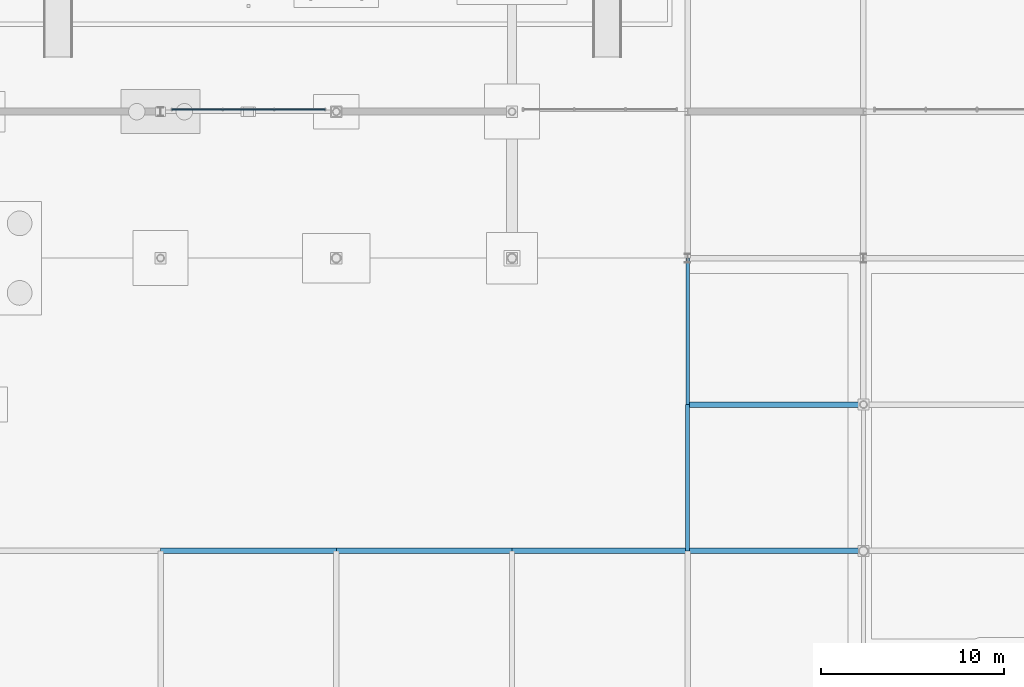
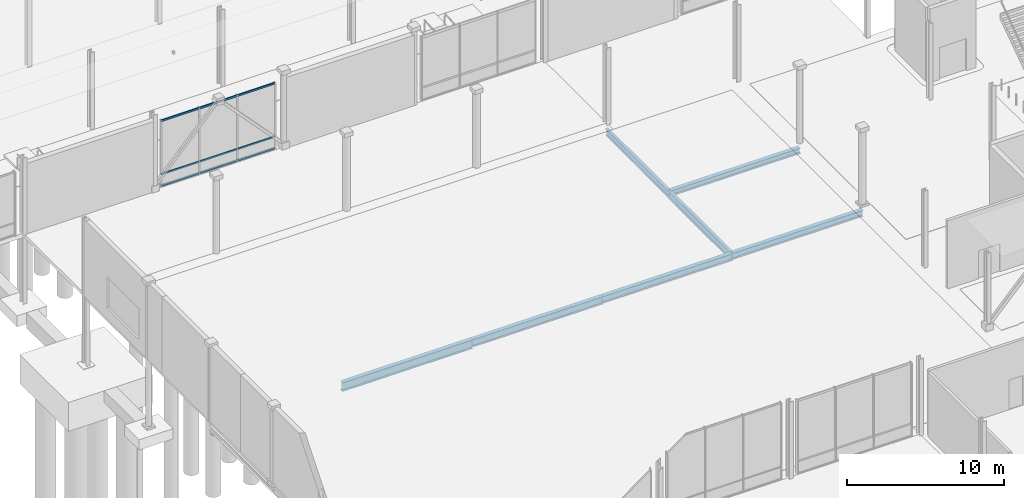
# One storey, part 60 of 124: 7 beams, 3 members, 1 element without a shape of its own.
"""IFC4 building model written with IfcOpenShell, lengths in metres."""

import ifcopenshell
import ifcopenshell.guid

model = None  # the IFC model being written
_history = None  # IfcOwnerHistory: only IFC2X3 demands one
_inside = {}  # id of a spatial element -> (the spatial element, [elements in it])
_under = {}  # id of a project, library or spatial element -> (it, [spatial elements below it])
_declared = {}  # id of a project -> (the project, [libraries it declares])
_typed = {}  # id of a type object -> (the type object, [elements of that type])
_made_of = {}  # id of a material, layer set ... -> (it, [elements and type objects made of it])


def new_model(schema):
    """Start an empty IFC model of exactly this schema.

    Asked for "IFC4X3", IfcOpenShell would pick the latest addendum, in which some entities
    have other attributes; the version numbers below select the first issue.
    IFC2X3 requires an IfcOwnerHistory on every rooted entity: one is made here for all.
    """
    global model, _history
    if schema == "IFC4X3":
        model = ifcopenshell.file(schema_version=(4, 3, 0, 0))
    else:
        model = ifcopenshell.file(schema=schema)
    _inside.clear()
    _under.clear()
    _declared.clear()
    _typed.clear()
    _made_of.clear()
    _history = None
    if model.schema == "IFC2X3":
        org = make("IfcOrganization", Name="unknown")
        user = make(
            "IfcPersonAndOrganization",
            ThePerson=make("IfcPerson", FamilyName="unknown"),
            TheOrganization=org,
        )
        app = make(
            "IfcApplication",
            ApplicationDeveloper=org,
            Version="unknown",
            ApplicationFullName="unknown",
            ApplicationIdentifier="unknown",
        )
        _history = make(
            "IfcOwnerHistory",
            OwningUser=user,
            OwningApplication=app,
            ChangeAction="ADDED",
            CreationDate=0,
        )
    return model


def make(cls, **values):
    """One entity of the class cls with the attributes given. An attribute that is None is left unset."""
    return model.create_entity(
        cls, **{name: value for name, value in values.items() if value is not None}
    )


def rooted(cls, **values):
    """An entity with a GlobalId (a new one), such as an element, a storey or a relation."""
    return make(cls, GlobalId=ifcopenshell.guid.new(), OwnerHistory=_history, **values)


def si_unit(unit_type, name, prefix=None):
    """IfcSIUnit, for example si_unit("LENGTHUNIT", "METRE", prefix="MILLI")."""
    return make("IfcSIUnit", UnitType=unit_type, Prefix=prefix, Name=name)


def assignment(units):
    """IfcUnitAssignment: the units of a project."""
    return None if units is None else make("IfcUnitAssignment", Units=units)


def point(xyz):
    """IfcCartesianPoint."""
    return None if xyz is None else make("IfcCartesianPoint", Coordinates=xyz)


def direction(xyz):
    """IfcDirection."""
    return None if xyz is None else make("IfcDirection", DirectionRatios=xyz)


def frame(location, z_axis=None, x_axis=None):
    """IfcAxis2Placement3D, a coordinate frame: its origin and axes. An axis left out is left unset."""
    return make(
        "IfcAxis2Placement3D",
        Location=point(location),
        Axis=direction(z_axis),
        RefDirection=direction(x_axis),
    )


def frame_2d(location, x_axis=None):
    """IfcAxis2Placement2D, a coordinate frame in the plane: its origin and x axis."""
    return make(
        "IfcAxis2Placement2D", Location=point(location), RefDirection=direction(x_axis)
    )


def origin():
    """The frame at (0, 0, 0) with its axes left unset."""
    return frame((0.0, 0.0, 0.0))


def origin_2d():
    """The frame at (0, 0) in the plane with its x axis left unset."""
    return frame_2d((0.0, 0.0))


def place(relative_to, where):
    """IfcLocalPlacement: puts the frame where relative to a parent placement (None: the world)."""
    return make(
        "IfcLocalPlacement", PlacementRelTo=relative_to, RelativePlacement=where
    )


def context(
    kind, dimensions, precision=None, world=None, true_north=None, identifier=None
):
    """IfcGeometricRepresentationContext, for example the 3D "Model" context."""
    return make(
        "IfcGeometricRepresentationContext",
        ContextIdentifier=identifier,
        ContextType=kind,
        CoordinateSpaceDimension=dimensions,
        Precision=precision,
        WorldCoordinateSystem=world,
        TrueNorth=true_north,
    )


def subcontext(parent, identifier, kind, view, scale=None):
    """IfcGeometricRepresentationSubContext, for example "Body" below "Model"."""
    return make(
        "IfcGeometricRepresentationSubContext",
        ContextIdentifier=identifier,
        ContextType=kind,
        ParentContext=parent,
        TargetScale=scale,
        TargetView=view,
    )


def project(units=None, contexts=None):
    """IfcProject with its units and contexts."""
    return rooted(
        "IfcProject",
        Name="project",
        RepresentationContexts=contexts,
        UnitsInContext=assignment(units),
    )


def spatial(cls, under=None, at=None, **own):
    """A site, building, storey or space (cls), placed at a placement, below another one or the project."""
    s = rooted(cls, ObjectPlacement=at, **own)
    if under is not None:
        _under.setdefault(under.id(), (under, []))[1].append(s)
    return s


def profile(cls, at=None, kind="AREA", **sizes):
    """A parametric profile (cls). Its sizes go by their IFC names, for example OverallWidth=200.0."""
    return make(cls, ProfileType=kind, Position=at, **sizes)


def rectangle(**sizes):
    """IfcRectangleProfileDef."""
    return profile("IfcRectangleProfileDef", **sizes)


def i_section(**sizes):
    """IfcIShapeProfileDef."""
    return profile("IfcIShapeProfileDef", **sizes)


def extrude(swept, where, along, depth):
    """IfcExtrudedAreaSolid: the profile swept, set in the frame where, extruded along a direction by depth."""
    return make(
        "IfcExtrudedAreaSolid",
        SweptArea=swept,
        Position=where,
        ExtrudedDirection=direction(along),
        Depth=depth,
    )


def shape(context_of_items, identifier, shape_type, items):
    """IfcShapeRepresentation: the items that make up one representation, for example the "Body"."""
    return make(
        "IfcShapeRepresentation",
        ContextOfItems=context_of_items,
        RepresentationIdentifier=identifier,
        RepresentationType=shape_type,
        Items=items,
    )


def material(Name=None, Category=None):
    """IfcMaterial."""
    return make("IfcMaterial", Name=Name, Category=Category)


def material_profile(
    of_material, cross_section, Name=None, Category=None, Priority=None
):
    """IfcMaterialProfile: a cross section and its material."""
    return make(
        "IfcMaterialProfile",
        Name=Name,
        Material=of_material,
        Profile=cross_section,
        Priority=Priority,
        Category=Category,
    )


def profile_set(profiles, Name=None, composite=None):
    """IfcMaterialProfileSet."""
    return make(
        "IfcMaterialProfileSet",
        Name=Name,
        MaterialProfiles=profiles,
        CompositeProfile=composite,
    )


def made_of(thing, what):
    """Note that an element or type object is made of a material, layer set ...; save() writes the relation."""
    if what is not None:
        _made_of.setdefault(what.id(), (what, []))[1].append(thing)
    return thing


def type_object(cls, material=None, **own):
    """A type object (cls), such as IfcWallType, which elements share."""
    return made_of(rooted(cls, **own), material)


def element(
    cls,
    number,
    at=None,
    inside=None,
    cuts=None,
    type_object=None,
    material=None,
    context=None,
    identifier="Body",
    shape_type=None,
    held_by="IfcProductDefinitionShape",
    body=None,
    shapes=None,
    **own,
):
    """One element of the class cls, such as IfcWall. Its Tag is "e" and its number.

    at: its placement. inside: the storey or other place that contains it. cuts: it is an
    opening in that element (IfcRelVoidsElement). A single representation is given by context,
    identifier, shape_type and body (its items); several are given by shapes. held_by: the class
    of the entity that holds the representations. save() writes the other relations.
    """
    e = rooted(cls, Tag="e%d" % number, ObjectPlacement=at, **own)
    if body is not None:
        shapes = [shape(context, identifier, shape_type, body)]
    if shapes is not None:
        e.Representation = make(held_by, Representations=shapes)
    if inside is not None:
        _inside.setdefault(inside.id(), (inside, []))[1].append(e)
    if cuts is not None:
        rooted(
            "IfcRelVoidsElement", RelatingBuildingElement=cuts, RelatedOpeningElement=e
        )
    if type_object is not None:
        _typed.setdefault(type_object.id(), (type_object, []))[1].append(e)
    return made_of(e, material)


def aggregate(whole, parts):
    """IfcRelAggregates: a whole, such as a stair, and the parts it consists of."""
    return rooted("IfcRelAggregates", RelatingObject=whole, RelatedObjects=parts)


def save(model, path):
    """Write the relations noted so far, then the file.

    IfcRelAggregates (storeys below a building ...), IfcRelContainedInSpatialStructure (elements
    in a storey), IfcRelDefinesByType, IfcRelAssociatesMaterial and IfcRelDeclares: one each for
    every whole, place, type object, material and project.
    """
    for whole, parts in _under.values():
        aggregate(whole, parts)
    for where, things in _inside.values():
        rooted(
            "IfcRelContainedInSpatialStructure",
            RelatedElements=things,
            RelatingStructure=where,
        )
    for kind, things in _typed.values():
        rooted("IfcRelDefinesByType", RelatedObjects=things, RelatingType=kind)
    for what, things in _made_of.values():
        rooted("IfcRelAssociatesMaterial", RelatedObjects=things, RelatingMaterial=what)
    for by, libraries in _declared.values():
        rooted("IfcRelDeclares", RelatingContext=by, RelatedDefinitions=libraries)
    model.write(path)


model = new_model("IFC4")

# Units and contexts
model_context = context("Model", 3, precision=1e-05, world=origin(), true_north=direction((0.0, 1.0)))
body_context = subcontext(model_context, "Body", "Model", "MODEL_VIEW")
ifc_project = project(units=[si_unit("LENGTHUNIT", "METRE"), si_unit("AREAUNIT", "SQUARE_METRE"), si_unit("VOLUMEUNIT", "CUBIC_METRE"), si_unit("PLANEANGLEUNIT", "RADIAN"), si_unit("MASSUNIT", "GRAM", prefix="KILO")], contexts=[model_context])

# Site, building, storey
site_placement = place(None, origin())
site = spatial("IfcSite", under=ifc_project, at=site_placement, CompositionType="ELEMENT")
building_placement = place(site_placement, origin())
building = spatial("IfcBuilding", under=site, at=building_placement, Name="Danafjord Basin Convention Centre", CompositionType="ELEMENT")
storey_placement = place(building_placement, origin())
storey = spatial("IfcBuildingStorey", under=building, at=storey_placement, Name="L00", CompositionType="ELEMENT", Elevation=0.0)

# Beams
ifc_material_1 = material(Name="Steel S355", Category="steel")
ifc_material_profile_1 = material_profile(ifc_material_1, i_section(OverallWidth=0.300048828125, OverallDepth=0.449951171875, WebThickness=0.013916015625, FlangeThickness=0.02587890625, FilletRadius=0.027099609375, at=origin_2d()), Name="HEB 450")
ifc_profile_set_1 = profile_set([ifc_material_profile_1], Name="Steel S355")
beam_type_1 = type_object("IfcBeamType", Name="BEAM-BM-HEB450", PredefinedType="BEAM", material=ifc_profile_set_1)
beam_1_placement = place(storey_placement, frame((182.39990234375, 72.0, -0.5849609375), z_axis=(1.0, 0.0, 0.0), x_axis=(0.0, 1.0, 0.0)))
element("IfcBeam", 1, at=beam_1_placement, inside=storey, type_object=beam_type_1, Name="L00 girder BM-HEB450", PredefinedType="BEAM", context=body_context, shape_type="SweptSolid", body=[
    extrude(i_section(OverallWidth=0.300048828125, OverallDepth=0.449951171875, WebThickness=0.013916015625, FlangeThickness=0.02587890625, FilletRadius=0.027099609375, at=origin_2d()), origin(), (0.0, 0.0, 1.0), 9.60009765625),
])
ifc_material_profile_2 = material_profile(ifc_material_1, i_section(OverallWidth=0.300048828125, OverallDepth=0.5, WebThickness=0.014404296875, FlangeThickness=0.028076171875, FilletRadius=0.027099609375, at=origin_2d()), Name="HEB 500")
ifc_profile_set_2 = profile_set([ifc_material_profile_2], Name="Steel S355")
beam_type_2 = type_object("IfcBeamType", Name="BEAM-BM-HEB500", PredefinedType="BEAM", material=ifc_profile_set_2)
beam_2_placement = place(storey_placement, frame((182.39990234375, 64.0, -0.610107421875), z_axis=(1.0, 0.0, 0.0), x_axis=(0.0, 1.0, 0.0)))
element("IfcBeam", 2, at=beam_2_placement, inside=storey, type_object=beam_type_2, Name="L00 girder BM-HEB500", PredefinedType="BEAM", context=body_context, shape_type="SweptSolid", body=[
    extrude(i_section(OverallWidth=0.300048828125, OverallDepth=0.5, WebThickness=0.014404296875, FlangeThickness=0.028076171875, FilletRadius=0.027099609375, at=origin_2d()), origin(), (0.0, 0.0, 1.0), 9.60009765625),
])
ifc_material_profile_3 = material_profile(ifc_material_1, i_section(OverallWidth=0.300048828125, OverallDepth=0.550048828125, WebThickness=0.014892578125, FlangeThickness=0.029052734375, FilletRadius=0.027099609375, at=origin_2d()), Name="HEB 550")
ifc_profile_set_3 = profile_set([ifc_material_profile_3], Name="Steel S355")
beam_type_3 = type_object("IfcBeamType", Name="BEAM-BM-HEB550", PredefinedType="BEAM", material=ifc_profile_set_3)
beam_3_placement = place(storey_placement, frame((172.800048828125, 64.0, -0.655029296875), z_axis=(1.0, 0.0, 0.0), x_axis=(0.0, 1.0, 0.0)))
element("IfcBeam", 3, at=beam_3_placement, inside=storey, type_object=beam_type_3, Name="L00 girder BM-HEB550", PredefinedType="BEAM", context=body_context, shape_type="SweptSolid", body=[
    extrude(i_section(OverallWidth=0.300048828125, OverallDepth=0.550048828125, WebThickness=0.014892578125, FlangeThickness=0.029052734375, FilletRadius=0.027099609375, at=origin_2d()), origin(), (0.0, 0.0, 1.0), 9.599853515625),
])
ifc_material_profile_4 = material_profile(ifc_material_1, i_section(OverallWidth=0.300048828125, OverallDepth=0.60009765625, WebThickness=0.015380859375, FlangeThickness=0.030029296875, FilletRadius=0.027099609375, at=origin_2d()), Name="HEB 600")
ifc_profile_set_4 = profile_set([ifc_material_profile_4], Name="Steel S355")
beam_type_4 = type_object("IfcBeamType", Name="BEAM-BM-HEB600", PredefinedType="BEAM", material=ifc_profile_set_4)
beam_4_placement = place(storey_placement, frame((163.199951171875, 64.0, -0.679931640625), z_axis=(1.0, 0.0, 0.0), x_axis=(0.0, 1.0, 0.0)))
element("IfcBeam", 4, at=beam_4_placement, inside=storey, type_object=beam_type_4, Name="L00 girder BM-HEB600", PredefinedType="BEAM", context=body_context, shape_type="SweptSolid", body=[
    extrude(i_section(OverallWidth=0.300048828125, OverallDepth=0.60009765625, WebThickness=0.015380859375, FlangeThickness=0.030029296875, FilletRadius=0.027099609375, at=origin_2d()), origin(), (0.0, 0.0, 1.0), 9.60009765625),
])
ifc_material_profile_5 = material_profile(ifc_material_1, i_section(OverallWidth=0.300048828125, OverallDepth=0.699951171875, WebThickness=0.01708984375, FlangeThickness=0.031982421875, FilletRadius=0.027099609375, at=origin_2d()), Name="HEB 700")
ifc_profile_set_5 = profile_set([ifc_material_profile_5], Name="Steel S355")
beam_type_5 = type_object("IfcBeamType", Name="BEAM-BM-HEB700", PredefinedType="BEAM", material=ifc_profile_set_5)
beam_5_placement = place(storey_placement, frame((153.60009765625, 64.0, -0.72998046875), z_axis=(1.0, 0.0, 0.0), x_axis=(0.0, 1.0, 0.0)))
element("IfcBeam", 5, at=beam_5_placement, inside=storey, type_object=beam_type_5, Name="L00 girder BM-HEB700", PredefinedType="BEAM", context=body_context, shape_type="SweptSolid", body=[
    extrude(i_section(OverallWidth=0.300048828125, OverallDepth=0.699951171875, WebThickness=0.01708984375, FlangeThickness=0.031982421875, FilletRadius=0.027099609375, at=origin_2d()), origin(), (0.0, 0.0, 1.0), 9.599853515625),
])
ifc_material_profile_6 = material_profile(ifc_material_1, i_section(OverallWidth=0.2099609375, OverallDepth=0.550048828125, WebThickness=0.010986328125, FlangeThickness=0.01708984375, FilletRadius=0.02392578125, at=origin_2d()), Name="IPE 550")
ifc_profile_set_6 = profile_set([ifc_material_profile_6], Name="Steel S355")
beam_type_6 = type_object("IfcBeamType", Name="BEAM-BM-IPE550", PredefinedType="BEAM", material=ifc_profile_set_6)
beam_6_placement = place(storey_placement, frame((182.39990234375, 72.0, -0.655029296875), z_axis=(0.0, 1.0, 0.0), x_axis=(-1.0, 0.0, 0.0)))
element("IfcBeam", 6, at=beam_6_placement, inside=storey, type_object=beam_type_6, Name="L00 transverse girder BM-IPE550", PredefinedType="BEAM", context=body_context, shape_type="SweptSolid", body=[
    extrude(i_section(OverallWidth=0.2099609375, OverallDepth=0.550048828125, WebThickness=0.010986328125, FlangeThickness=0.01708984375, FilletRadius=0.02392578125, at=origin_2d()), origin(), (0.0, 0.0, 1.0), 8.0),
])
ifc_material_profile_7 = material_profile(ifc_material_1, i_section(OverallWidth=0.219970703125, OverallDepth=0.60009765625, WebThickness=0.011962890625, FlangeThickness=0.01904296875, FilletRadius=0.02392578125, at=origin_2d()), Name="IPE 600")
ifc_profile_set_7 = profile_set([ifc_material_profile_7], Name="Steel S355")
beam_type_7 = type_object("IfcBeamType", Name="BEAM-BM-IPE600", PredefinedType="BEAM", material=ifc_profile_set_7)
beam_7_placement = place(storey_placement, frame((182.39990234375, 64.0, -0.679931640625), z_axis=(0.0, 1.0, 0.0), x_axis=(-1.0, 0.0, 0.0)))
element("IfcBeam", 7, at=beam_7_placement, inside=storey, type_object=beam_type_7, Name="L00 transverse girder BM-IPE600", PredefinedType="BEAM", context=body_context, shape_type="SweptSolid", body=[
    extrude(i_section(OverallWidth=0.219970703125, OverallDepth=0.60009765625, WebThickness=0.011962890625, FlangeThickness=0.01904296875, FilletRadius=0.02392578125, at=origin_2d()), origin(), (0.0, 0.0, 1.0), 8.0),
])

# Curtain wall, members
ifc_material_2 = material(Name="Anodised aluminium and triple glazing", Category="aluminium")
curtain_wall_type = type_object("IfcCurtainWallType", Name="CW-CW-DRUM", PredefinedType="NOTDEFINED", material=ifc_material_2)
curtain_wall_placement = place(storey_placement, origin())
curtain_wall = element("IfcCurtainWall", 8, at=curtain_wall_placement, inside=storey, type_object=curtain_wall_type, Name="L00 CW-DRUM unitised curtain wall bay 115", PredefinedType="NOTDEFINED")
ifc_material_3 = material(Name="Anodised aluminium EN AW-6060", Category="aluminium")
ifc_material_profile_8 = material_profile(ifc_material_3, rectangle(XDim=0.06005859375, YDim=0.14990234375, at=origin_2d()), Name="TRAN 60x150")
ifc_profile_set_8 = profile_set([ifc_material_profile_8], Name="Anodised aluminium EN AW-6060")
member_type = type_object("IfcMemberType", Name="MEM-TR-150", PredefinedType="USERDEFINED", material=ifc_profile_set_8)
member_1_placement = place(storey_placement, frame((154.199951171875, 88.1201171875, 0.06005859375), z_axis=(1.0, 0.0, 0.0), x_axis=(0.0, 1.0, 0.0)))
member_1 = element("IfcMember", 9, at=member_1_placement, type_object=member_type, Name="CW-L00-115 transom 1", ObjectType="TRANSOM", PredefinedType="USERDEFINED", context=body_context, shape_type="SweptSolid", body=[
    extrude(rectangle(XDim=0.06005859375, YDim=0.14990234375, at=origin_2d()), origin(), (0.0, 0.0, 1.0), 8.400146484375),
])
member_2_placement = place(storey_placement, frame((154.199951171875, 88.1201171875, 0.949951171875), z_axis=(1.0, 0.0, 0.0), x_axis=(0.0, 1.0, 0.0)))
member_2 = element("IfcMember", 10, at=member_2_placement, type_object=member_type, Name="CW-L00-115 transom 2", ObjectType="TRANSOM", PredefinedType="USERDEFINED", context=body_context, shape_type="SweptSolid", body=[
    extrude(rectangle(XDim=0.06005859375, YDim=0.14990234375, at=origin_2d()), origin(), (0.0, 0.0, 1.0), 8.400146484375),
])
member_3_placement = place(storey_placement, frame((154.199951171875, 88.1201171875, 5.110107421875), z_axis=(1.0, 0.0, 0.0), x_axis=(0.0, 1.0, 0.0)))
member_3 = element("IfcMember", 11, at=member_3_placement, type_object=member_type, Name="CW-L00-115 transom 3", ObjectType="TRANSOM", PredefinedType="USERDEFINED", context=body_context, shape_type="SweptSolid", body=[
    extrude(rectangle(XDim=0.06005859375, YDim=0.14990234375, at=origin_2d()), origin(), (0.0, 0.0, 1.0), 8.400146484375),
])
aggregate(curtain_wall, [member_1, member_2, member_3])

save(model, "model.ifc")
